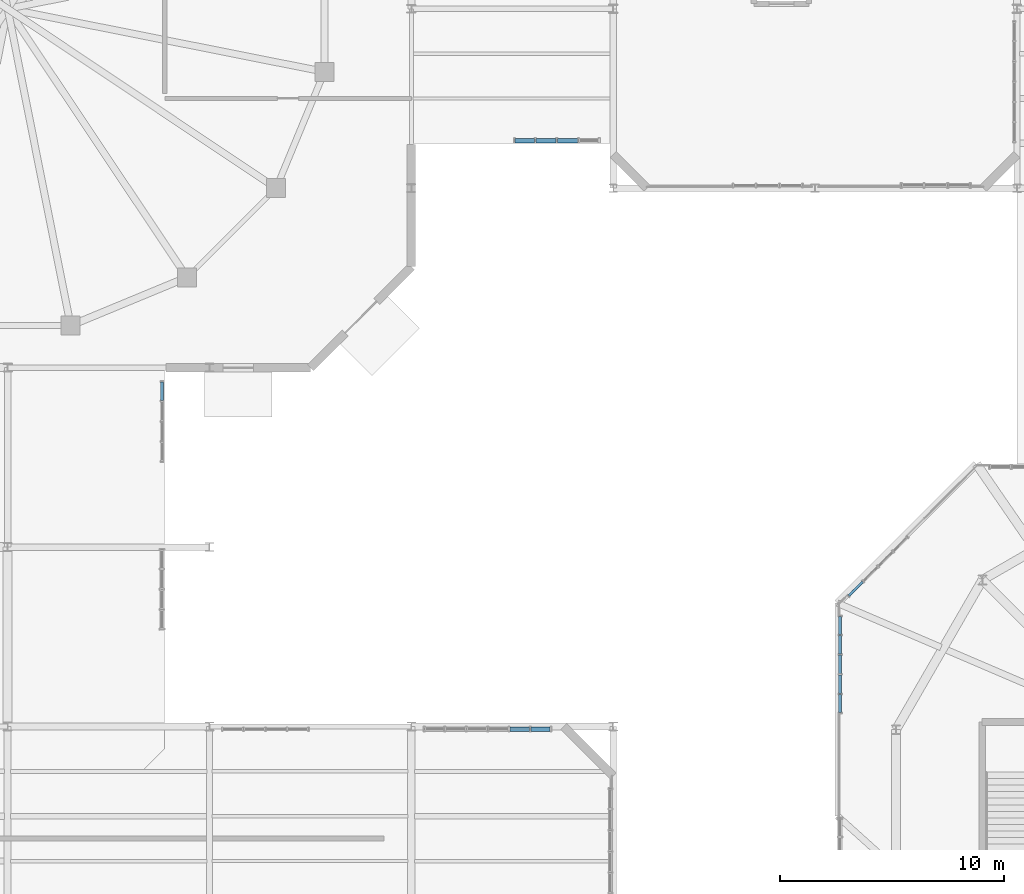
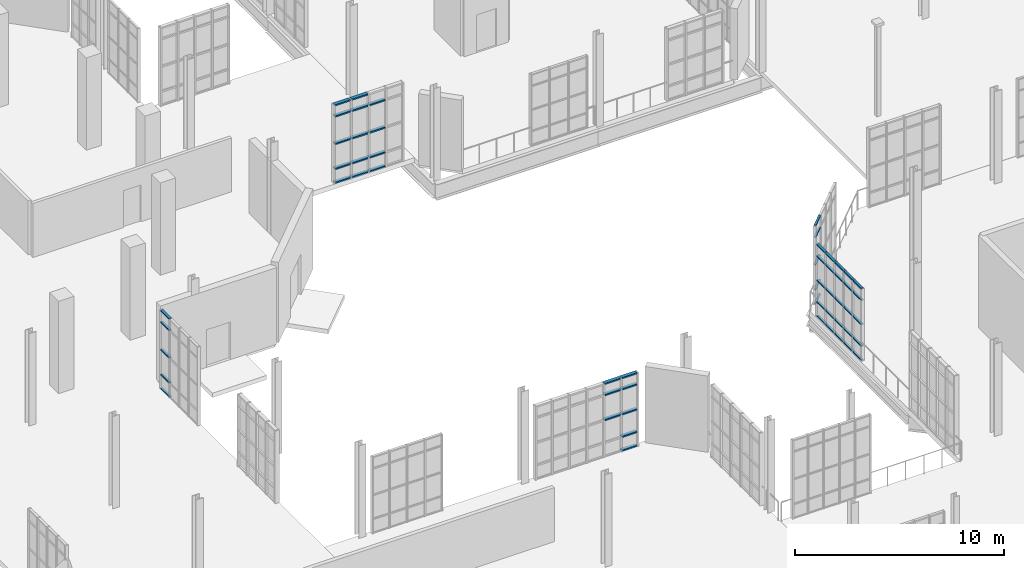
# One storey, part 118 of 189: 57 members, 5 elements without a shape of their own.
"""IFC4 building model written with IfcOpenShell, lengths in metres."""

from ifc_helpers import new_model, si_unit, direction, frame, origin, origin_2d, place, context, subcontext, project, spatial, hollow_rectangle, extrude, material, layer, layer_set, material_profile, profile_set, type_object, element, aggregate, save


model = new_model("IFC4")

# Units and contexts
model_context = context("Model", 3, precision=1e-05, world=origin(), true_north=direction((0.0, 1.0)))
body_context = subcontext(model_context, "Body", "Model", "MODEL_VIEW")
ifc_project = project(units=[si_unit("LENGTHUNIT", "METRE"), si_unit("AREAUNIT", "SQUARE_METRE"), si_unit("VOLUMEUNIT", "CUBIC_METRE"), si_unit("PLANEANGLEUNIT", "RADIAN"), si_unit("MASSUNIT", "GRAM", prefix="KILO"), si_unit("THERMODYNAMICTEMPERATUREUNIT", "KELVIN"), si_unit("POWERUNIT", "WATT")], contexts=[model_context])

# Site, building, storey
site_placement = place(None, origin())
site = spatial("IfcSite", under=ifc_project, at=site_placement, CompositionType="ELEMENT")
building_placement = place(site_placement, origin())
building = spatial("IfcBuilding", under=site, at=building_placement, Name="Zelmaris Science Centre", CompositionType="ELEMENT")
storey_placement = place(building_placement, origin())
storey = spatial("IfcBuildingStorey", under=building, at=storey_placement, Name="L00", CompositionType="ELEMENT", Elevation=0.0)

# Curtain wall, members
ifc_material = material(Name="Anodised architectural aluminium 6063-T6", Category="aluminium")
ifc_layer_1 = layer(ifc_material, 0.219970703125, Name="Anodised architectural aluminium 6063-T6")
ifc_layer_set_1 = layer_set([ifc_layer_1], Name="Anodised architectural aluminium 6063-T6")
curtain_wall_type_1 = type_object("IfcCurtainWallType", Name="Curtain Wall CW-04", PredefinedType="USERDEFINED", material=ifc_layer_set_1)
curtain_wall_1_placement = place(storey_placement, origin())
curtain_wall_1 = element("IfcCurtainWall", 1, at=curtain_wall_1_placement, inside=storey, type_object=curtain_wall_type_1, Name="L00 Unitised curtain wall 52", ObjectType="GLAZED CURTAIN WALL", PredefinedType="USERDEFINED")
ifc_material_profile_1 = material_profile(ifc_material, hollow_rectangle(XDim=0.06005859375, YDim=0.110107421875, WallThickness=0.0029296875, at=origin_2d()), Name="ALU-TRN-60X110")
ifc_profile_set_1 = profile_set([ifc_material_profile_1], Name="Anodised architectural aluminium 6063-T6")
member_type_1 = type_object("IfcMemberType", Name="ALU-TRN-60X110", PredefinedType="USERDEFINED", material=ifc_profile_set_1)
member_1_placement = place(storey_placement, frame((64.503662109375, 45.833740234375, 0.010986328125), z_axis=(0.707106781187, 0.707106781187, 0.0), x_axis=(0.0, 0.0, 1.0)))
member_1 = element("IfcMember", 2, at=member_1_placement, type_object=member_type_1, Name="CW-04 transom 1.1", ObjectType="TRANSOM", PredefinedType="USERDEFINED", context=body_context, shape_type="SweptSolid", body=[
    extrude(hollow_rectangle(XDim=0.06005859375, YDim=0.110107421875, WallThickness=0.0029296875, at=origin_2d()), origin(), (0.0, 0.0, 1.0), 0.867919921875),
])
member_2_placement = place(storey_placement, frame((64.503662109375, 45.833740234375, 0.8349609375), z_axis=(0.707106781187, 0.707106781187, 0.0), x_axis=(0.0, 0.0, 1.0)))
member_2 = element("IfcMember", 3, at=member_2_placement, type_object=member_type_1, Name="CW-04 transom 1.2", ObjectType="TRANSOM", PredefinedType="USERDEFINED", context=body_context, shape_type="SweptSolid", body=[
    extrude(hollow_rectangle(XDim=0.06005859375, YDim=0.110107421875, WallThickness=0.0029296875, at=origin_2d()), origin(), (0.0, 0.0, 1.0), 0.867919921875),
])
member_3_placement = place(storey_placement, frame((64.503662109375, 45.833740234375, 2.29248046875), z_axis=(0.707106781187, 0.707106781187, 0.0), x_axis=(0.0, 0.0, 1.0)))
member_3 = element("IfcMember", 4, at=member_3_placement, type_object=member_type_1, Name="CW-04 transom 1.3", ObjectType="TRANSOM", PredefinedType="USERDEFINED", context=body_context, shape_type="SweptSolid", body=[
    extrude(hollow_rectangle(XDim=0.06005859375, YDim=0.110107421875, WallThickness=0.0029296875, at=origin_2d()), origin(), (0.0, 0.0, 1.0), 0.867919921875),
])
member_4_placement = place(storey_placement, frame((64.503662109375, 45.833740234375, 3.89990234375), z_axis=(0.707106781187, 0.707106781187, 0.0), x_axis=(0.0, 0.0, 1.0)))
member_4 = element("IfcMember", 5, at=member_4_placement, type_object=member_type_1, Name="CW-04 transom 1.4", ObjectType="TRANSOM", PredefinedType="USERDEFINED", context=body_context, shape_type="SweptSolid", body=[
    extrude(hollow_rectangle(XDim=0.06005859375, YDim=0.110107421875, WallThickness=0.0029296875, at=origin_2d()), origin(), (0.0, 0.0, 1.0), 0.867919921875),
])
member_5_placement = place(storey_placement, frame((64.503662109375, 45.833740234375, 4.573974609375), z_axis=(0.707106781187, 0.707106781187, 0.0), x_axis=(0.0, 0.0, 1.0)))
member_5 = element("IfcMember", 6, at=member_5_placement, type_object=member_type_1, Name="CW-04 transom 1.5", ObjectType="TRANSOM", PredefinedType="USERDEFINED", context=body_context, shape_type="SweptSolid", body=[
    extrude(hollow_rectangle(XDim=0.06005859375, YDim=0.110107421875, WallThickness=0.0029296875, at=origin_2d()), origin(), (0.0, 0.0, 1.0), 0.867919921875),
])
aggregate(curtain_wall_1, [member_1, member_2, member_3, member_4, member_5])

ifc_layer_2 = layer(ifc_material, 0.2099609375, Name="Anodised architectural aluminium 6063-T6")
ifc_layer_set_2 = layer_set([ifc_layer_2], Name="Anodised architectural aluminium 6063-T6")
curtain_wall_type_2 = type_object("IfcCurtainWallType", Name="Curtain Wall CW-03", PredefinedType="USERDEFINED", material=ifc_layer_set_2)
curtain_wall_2_placement = place(storey_placement, origin())
curtain_wall_2 = element("IfcCurtainWall", 7, at=curtain_wall_2_placement, inside=storey, type_object=curtain_wall_type_2, Name="L00 Unitised curtain wall 39", ObjectType="GLAZED CURTAIN WALL", PredefinedType="USERDEFINED")
ifc_material_profile_2 = material_profile(ifc_material, hollow_rectangle(XDim=0.06494140625, YDim=0.1298828125, WallThickness=0.00341796875, at=origin_2d()), Name="ALU-TRN-65X130")
ifc_profile_set_2 = profile_set([ifc_material_profile_2], Name="Anodised architectural aluminium 6063-T6")
member_type_2 = type_object("IfcMemberType", Name="ALU-TRN-65X130", PredefinedType="USERDEFINED", material=ifc_profile_set_2)
member_6_placement = place(storey_placement, frame((33.883056640625, 55.3603515625, 0.013427734375), z_axis=(0.000595060888, -0.999999822951, 0.0), x_axis=(0.0, 0.0, 1.0)))
member_6 = element("IfcMember", 8, at=member_6_placement, type_object=member_type_2, Name="CW-03 transom 1.1", ObjectType="TRANSOM", PredefinedType="USERDEFINED", context=body_context, shape_type="SweptSolid", body=[
    extrude(hollow_rectangle(XDim=0.06494140625, YDim=0.1298828125, WallThickness=0.00341796875, at=origin_2d()), origin(), (0.0, 0.0, 1.0), 0.820556640625),
])
member_7_placement = place(storey_placement, frame((33.883056640625, 55.3603515625, 0.8349609375), z_axis=(0.000595060888, -0.999999822951, 0.0), x_axis=(0.0, 0.0, 1.0)))
member_7 = element("IfcMember", 9, at=member_7_placement, type_object=member_type_2, Name="CW-03 transom 1.2", ObjectType="TRANSOM", PredefinedType="USERDEFINED", context=body_context, shape_type="SweptSolid", body=[
    extrude(hollow_rectangle(XDim=0.06494140625, YDim=0.1298828125, WallThickness=0.00341796875, at=origin_2d()), origin(), (0.0, 0.0, 1.0), 0.820556640625),
])
member_8_placement = place(storey_placement, frame((33.883056640625, 55.3603515625, 2.29248046875), z_axis=(0.000595060888, -0.999999822951, 0.0), x_axis=(0.0, 0.0, 1.0)))
member_8 = element("IfcMember", 10, at=member_8_placement, type_object=member_type_2, Name="CW-03 transom 1.3", ObjectType="TRANSOM", PredefinedType="USERDEFINED", context=body_context, shape_type="SweptSolid", body=[
    extrude(hollow_rectangle(XDim=0.06494140625, YDim=0.1298828125, WallThickness=0.00341796875, at=origin_2d()), origin(), (0.0, 0.0, 1.0), 0.820556640625),
])
member_9_placement = place(storey_placement, frame((33.883056640625, 55.3603515625, 3.89990234375), z_axis=(0.000595060888, -0.999999822951, 0.0), x_axis=(0.0, 0.0, 1.0)))
member_9 = element("IfcMember", 11, at=member_9_placement, type_object=member_type_2, Name="CW-03 transom 1.4", ObjectType="TRANSOM", PredefinedType="USERDEFINED", context=body_context, shape_type="SweptSolid", body=[
    extrude(hollow_rectangle(XDim=0.06494140625, YDim=0.1298828125, WallThickness=0.00341796875, at=origin_2d()), origin(), (0.0, 0.0, 1.0), 0.820556640625),
])
member_10_placement = place(storey_placement, frame((33.883056640625, 55.3603515625, 4.571533203125), z_axis=(0.000595060888, -0.999999822951, 0.0), x_axis=(0.0, 0.0, 1.0)))
member_10 = element("IfcMember", 12, at=member_10_placement, type_object=member_type_2, Name="CW-03 transom 1.5", ObjectType="TRANSOM", PredefinedType="USERDEFINED", context=body_context, shape_type="SweptSolid", body=[
    extrude(hollow_rectangle(XDim=0.06494140625, YDim=0.1298828125, WallThickness=0.00341796875, at=origin_2d()), origin(), (0.0, 0.0, 1.0), 0.820556640625),
])
aggregate(curtain_wall_2, [member_6, member_7, member_8, member_9, member_10])

curtain_wall_3_placement = place(storey_placement, origin())
curtain_wall_3 = element("IfcCurtainWall", 13, at=curtain_wall_3_placement, inside=storey, type_object=curtain_wall_type_2, Name="L00 Unitised curtain wall 51", ObjectType="GLAZED CURTAIN WALL", PredefinedType="USERDEFINED")
member_11_placement = place(storey_placement, frame((64.115478515625, 40.630859375, 0.013427734375), z_axis=(0.000925068984, 0.999999572124, 0.0), x_axis=(0.0, 0.0, 1.0)))
member_11 = element("IfcMember", 14, at=member_11_placement, type_object=member_type_2, Name="CW-03 transom 1.1", ObjectType="TRANSOM", PredefinedType="USERDEFINED", context=body_context, shape_type="SweptSolid", body=[
    extrude(hollow_rectangle(XDim=0.06494140625, YDim=0.1298828125, WallThickness=0.00341796875, at=origin_2d()), origin(), (0.0, 0.0, 1.0), 0.791748046875),
])
member_12_placement = place(storey_placement, frame((64.115478515625, 40.630859375, 0.8349609375), z_axis=(0.000925068984, 0.999999572124, 0.0), x_axis=(0.0, 0.0, 1.0)))
member_12 = element("IfcMember", 15, at=member_12_placement, type_object=member_type_2, Name="CW-03 transom 1.2", ObjectType="TRANSOM", PredefinedType="USERDEFINED", context=body_context, shape_type="SweptSolid", body=[
    extrude(hollow_rectangle(XDim=0.06494140625, YDim=0.1298828125, WallThickness=0.00341796875, at=origin_2d()), origin(), (0.0, 0.0, 1.0), 0.791748046875),
])
member_13_placement = place(storey_placement, frame((64.115478515625, 40.630859375, 2.099609375), z_axis=(0.000925068984, 0.999999572124, 0.0), x_axis=(0.0, 0.0, 1.0)))
member_13 = element("IfcMember", 16, at=member_13_placement, type_object=member_type_2, Name="CW-03 transom 1.3", ObjectType="TRANSOM", PredefinedType="USERDEFINED", context=body_context, shape_type="SweptSolid", body=[
    extrude(hollow_rectangle(XDim=0.06494140625, YDim=0.1298828125, WallThickness=0.00341796875, at=origin_2d()), origin(), (0.0, 0.0, 1.0), 0.791748046875),
])
member_14_placement = place(storey_placement, frame((64.115478515625, 40.630859375, 3.513916015625), z_axis=(0.000925068984, 0.999999572124, 0.0), x_axis=(0.0, 0.0, 1.0)))
member_14 = element("IfcMember", 17, at=member_14_placement, type_object=member_type_2, Name="CW-03 transom 1.4", ObjectType="TRANSOM", PredefinedType="USERDEFINED", context=body_context, shape_type="SweptSolid", body=[
    extrude(hollow_rectangle(XDim=0.06494140625, YDim=0.1298828125, WallThickness=0.00341796875, at=origin_2d()), origin(), (0.0, 0.0, 1.0), 0.791748046875),
])
member_15_placement = place(storey_placement, frame((64.115478515625, 40.630859375, 4.185546875), z_axis=(0.000925068984, 0.999999572124, 0.0), x_axis=(0.0, 0.0, 1.0)))
member_15 = element("IfcMember", 18, at=member_15_placement, type_object=member_type_2, Name="CW-03 transom 1.5", ObjectType="TRANSOM", PredefinedType="USERDEFINED", context=body_context, shape_type="SweptSolid", body=[
    extrude(hollow_rectangle(XDim=0.06494140625, YDim=0.1298828125, WallThickness=0.00341796875, at=origin_2d()), origin(), (0.0, 0.0, 1.0), 0.791748046875),
])
member_16_placement = place(storey_placement, frame((64.1162109375, 41.4794921875, 0.013427734375), z_axis=(0.000892856787, 0.999999601403, 0.0), x_axis=(0.0, 0.0, 1.0)))
member_16 = element("IfcMember", 19, at=member_16_placement, type_object=member_type_2, Name="CW-03 transom 2.1", ObjectType="TRANSOM", PredefinedType="USERDEFINED", context=body_context, shape_type="SweptSolid", body=[
    extrude(hollow_rectangle(XDim=0.06494140625, YDim=0.1298828125, WallThickness=0.00341796875, at=origin_2d()), origin(), (0.0, 0.0, 1.0), 0.8203125),
])
member_17_placement = place(storey_placement, frame((64.1162109375, 41.4794921875, 0.8349609375), z_axis=(0.000892856787, 0.999999601403, 0.0), x_axis=(0.0, 0.0, 1.0)))
member_17 = element("IfcMember", 20, at=member_17_placement, type_object=member_type_2, Name="CW-03 transom 2.2", ObjectType="TRANSOM", PredefinedType="USERDEFINED", context=body_context, shape_type="SweptSolid", body=[
    extrude(hollow_rectangle(XDim=0.06494140625, YDim=0.1298828125, WallThickness=0.00341796875, at=origin_2d()), origin(), (0.0, 0.0, 1.0), 0.8203125),
])
member_18_placement = place(storey_placement, frame((64.1162109375, 41.4794921875, 2.099609375), z_axis=(0.000892856787, 0.999999601403, 0.0), x_axis=(0.0, 0.0, 1.0)))
member_18 = element("IfcMember", 21, at=member_18_placement, type_object=member_type_2, Name="CW-03 transom 2.3", ObjectType="TRANSOM", PredefinedType="USERDEFINED", context=body_context, shape_type="SweptSolid", body=[
    extrude(hollow_rectangle(XDim=0.06494140625, YDim=0.1298828125, WallThickness=0.00341796875, at=origin_2d()), origin(), (0.0, 0.0, 1.0), 0.8203125),
])
member_19_placement = place(storey_placement, frame((64.1162109375, 41.4794921875, 3.513916015625), z_axis=(0.000892856787, 0.999999601403, 0.0), x_axis=(0.0, 0.0, 1.0)))
member_19 = element("IfcMember", 22, at=member_19_placement, type_object=member_type_2, Name="CW-03 transom 2.4", ObjectType="TRANSOM", PredefinedType="USERDEFINED", context=body_context, shape_type="SweptSolid", body=[
    extrude(hollow_rectangle(XDim=0.06494140625, YDim=0.1298828125, WallThickness=0.00341796875, at=origin_2d()), origin(), (0.0, 0.0, 1.0), 0.8203125),
])
member_20_placement = place(storey_placement, frame((64.1162109375, 41.4794921875, 4.185546875), z_axis=(0.000892856787, 0.999999601403, 0.0), x_axis=(0.0, 0.0, 1.0)))
member_20 = element("IfcMember", 23, at=member_20_placement, type_object=member_type_2, Name="CW-03 transom 2.5", ObjectType="TRANSOM", PredefinedType="USERDEFINED", context=body_context, shape_type="SweptSolid", body=[
    extrude(hollow_rectangle(XDim=0.06494140625, YDim=0.1298828125, WallThickness=0.00341796875, at=origin_2d()), origin(), (0.0, 0.0, 1.0), 0.8203125),
])
member_21_placement = place(storey_placement, frame((64.1171875, 42.356689453125, 0.013427734375), z_axis=(0.000892856787, 0.999999601403, 0.0), x_axis=(0.0, 0.0, 1.0)))
member_21 = element("IfcMember", 24, at=member_21_placement, type_object=member_type_2, Name="CW-03 transom 3.1", ObjectType="TRANSOM", PredefinedType="USERDEFINED", context=body_context, shape_type="SweptSolid", body=[
    extrude(hollow_rectangle(XDim=0.06494140625, YDim=0.1298828125, WallThickness=0.00341796875, at=origin_2d()), origin(), (0.0, 0.0, 1.0), 0.8203125),
])
member_22_placement = place(storey_placement, frame((64.1171875, 42.356689453125, 0.8349609375), z_axis=(0.000892856787, 0.999999601403, 0.0), x_axis=(0.0, 0.0, 1.0)))
member_22 = element("IfcMember", 25, at=member_22_placement, type_object=member_type_2, Name="CW-03 transom 3.2", ObjectType="TRANSOM", PredefinedType="USERDEFINED", context=body_context, shape_type="SweptSolid", body=[
    extrude(hollow_rectangle(XDim=0.06494140625, YDim=0.1298828125, WallThickness=0.00341796875, at=origin_2d()), origin(), (0.0, 0.0, 1.0), 0.8203125),
])
member_23_placement = place(storey_placement, frame((64.1171875, 42.356689453125, 2.099609375), z_axis=(0.000892856787, 0.999999601403, 0.0), x_axis=(0.0, 0.0, 1.0)))
member_23 = element("IfcMember", 26, at=member_23_placement, type_object=member_type_2, Name="CW-03 transom 3.3", ObjectType="TRANSOM", PredefinedType="USERDEFINED", context=body_context, shape_type="SweptSolid", body=[
    extrude(hollow_rectangle(XDim=0.06494140625, YDim=0.1298828125, WallThickness=0.00341796875, at=origin_2d()), origin(), (0.0, 0.0, 1.0), 0.8203125),
])
member_24_placement = place(storey_placement, frame((64.1171875, 42.356689453125, 3.513916015625), z_axis=(0.000892856787, 0.999999601403, 0.0), x_axis=(0.0, 0.0, 1.0)))
member_24 = element("IfcMember", 27, at=member_24_placement, type_object=member_type_2, Name="CW-03 transom 3.4", ObjectType="TRANSOM", PredefinedType="USERDEFINED", context=body_context, shape_type="SweptSolid", body=[
    extrude(hollow_rectangle(XDim=0.06494140625, YDim=0.1298828125, WallThickness=0.00341796875, at=origin_2d()), origin(), (0.0, 0.0, 1.0), 0.8203125),
])
member_25_placement = place(storey_placement, frame((64.1171875, 42.356689453125, 4.185546875), z_axis=(0.000892856787, 0.999999601403, 0.0), x_axis=(0.0, 0.0, 1.0)))
member_25 = element("IfcMember", 28, at=member_25_placement, type_object=member_type_2, Name="CW-03 transom 3.5", ObjectType="TRANSOM", PredefinedType="USERDEFINED", context=body_context, shape_type="SweptSolid", body=[
    extrude(hollow_rectangle(XDim=0.06494140625, YDim=0.1298828125, WallThickness=0.00341796875, at=origin_2d()), origin(), (0.0, 0.0, 1.0), 0.8203125),
])
member_26_placement = place(storey_placement, frame((64.117919921875, 43.23388671875, 0.013427734375), z_axis=(0.000892856787, 0.999999601403, 0.0), x_axis=(0.0, 0.0, 1.0)))
member_26 = element("IfcMember", 29, at=member_26_placement, type_object=member_type_2, Name="CW-03 transom 4.1", ObjectType="TRANSOM", PredefinedType="USERDEFINED", context=body_context, shape_type="SweptSolid", body=[
    extrude(hollow_rectangle(XDim=0.06494140625, YDim=0.1298828125, WallThickness=0.00341796875, at=origin_2d()), origin(), (0.0, 0.0, 1.0), 0.8203125),
])
member_27_placement = place(storey_placement, frame((64.117919921875, 43.23388671875, 0.8349609375), z_axis=(0.000892856787, 0.999999601403, 0.0), x_axis=(0.0, 0.0, 1.0)))
member_27 = element("IfcMember", 30, at=member_27_placement, type_object=member_type_2, Name="CW-03 transom 4.2", ObjectType="TRANSOM", PredefinedType="USERDEFINED", context=body_context, shape_type="SweptSolid", body=[
    extrude(hollow_rectangle(XDim=0.06494140625, YDim=0.1298828125, WallThickness=0.00341796875, at=origin_2d()), origin(), (0.0, 0.0, 1.0), 0.8203125),
])
member_28_placement = place(storey_placement, frame((64.117919921875, 43.23388671875, 2.099609375), z_axis=(0.000892856787, 0.999999601403, 0.0), x_axis=(0.0, 0.0, 1.0)))
member_28 = element("IfcMember", 31, at=member_28_placement, type_object=member_type_2, Name="CW-03 transom 4.3", ObjectType="TRANSOM", PredefinedType="USERDEFINED", context=body_context, shape_type="SweptSolid", body=[
    extrude(hollow_rectangle(XDim=0.06494140625, YDim=0.1298828125, WallThickness=0.00341796875, at=origin_2d()), origin(), (0.0, 0.0, 1.0), 0.8203125),
])
member_29_placement = place(storey_placement, frame((64.117919921875, 43.23388671875, 3.513916015625), z_axis=(0.000892856787, 0.999999601403, 0.0), x_axis=(0.0, 0.0, 1.0)))
member_29 = element("IfcMember", 32, at=member_29_placement, type_object=member_type_2, Name="CW-03 transom 4.4", ObjectType="TRANSOM", PredefinedType="USERDEFINED", context=body_context, shape_type="SweptSolid", body=[
    extrude(hollow_rectangle(XDim=0.06494140625, YDim=0.1298828125, WallThickness=0.00341796875, at=origin_2d()), origin(), (0.0, 0.0, 1.0), 0.8203125),
])
member_30_placement = place(storey_placement, frame((64.117919921875, 43.23388671875, 4.185546875), z_axis=(0.000892856787, 0.999999601403, 0.0), x_axis=(0.0, 0.0, 1.0)))
member_30 = element("IfcMember", 33, at=member_30_placement, type_object=member_type_2, Name="CW-03 transom 4.5", ObjectType="TRANSOM", PredefinedType="USERDEFINED", context=body_context, shape_type="SweptSolid", body=[
    extrude(hollow_rectangle(XDim=0.06494140625, YDim=0.1298828125, WallThickness=0.00341796875, at=origin_2d()), origin(), (0.0, 0.0, 1.0), 0.8203125),
])
member_31_placement = place(storey_placement, frame((64.118896484375, 44.111083984375, 0.013427734375), z_axis=(0.000925068984, 0.999999572124, 0.0), x_axis=(0.0, 0.0, 1.0)))
member_31 = element("IfcMember", 34, at=member_31_placement, type_object=member_type_2, Name="CW-03 transom 5.1", ObjectType="TRANSOM", PredefinedType="USERDEFINED", context=body_context, shape_type="SweptSolid", body=[
    extrude(hollow_rectangle(XDim=0.06494140625, YDim=0.1298828125, WallThickness=0.00341796875, at=origin_2d()), origin(), (0.0, 0.0, 1.0), 0.791748046875),
])
member_32_placement = place(storey_placement, frame((64.118896484375, 44.111083984375, 0.8349609375), z_axis=(0.000925068984, 0.999999572124, 0.0), x_axis=(0.0, 0.0, 1.0)))
member_32 = element("IfcMember", 35, at=member_32_placement, type_object=member_type_2, Name="CW-03 transom 5.2", ObjectType="TRANSOM", PredefinedType="USERDEFINED", context=body_context, shape_type="SweptSolid", body=[
    extrude(hollow_rectangle(XDim=0.06494140625, YDim=0.1298828125, WallThickness=0.00341796875, at=origin_2d()), origin(), (0.0, 0.0, 1.0), 0.791748046875),
])
member_33_placement = place(storey_placement, frame((64.118896484375, 44.111083984375, 2.099609375), z_axis=(0.000925068984, 0.999999572124, 0.0), x_axis=(0.0, 0.0, 1.0)))
member_33 = element("IfcMember", 36, at=member_33_placement, type_object=member_type_2, Name="CW-03 transom 5.3", ObjectType="TRANSOM", PredefinedType="USERDEFINED", context=body_context, shape_type="SweptSolid", body=[
    extrude(hollow_rectangle(XDim=0.06494140625, YDim=0.1298828125, WallThickness=0.00341796875, at=origin_2d()), origin(), (0.0, 0.0, 1.0), 0.791748046875),
])
member_34_placement = place(storey_placement, frame((64.118896484375, 44.111083984375, 3.513916015625), z_axis=(0.000925068984, 0.999999572124, 0.0), x_axis=(0.0, 0.0, 1.0)))
member_34 = element("IfcMember", 37, at=member_34_placement, type_object=member_type_2, Name="CW-03 transom 5.4", ObjectType="TRANSOM", PredefinedType="USERDEFINED", context=body_context, shape_type="SweptSolid", body=[
    extrude(hollow_rectangle(XDim=0.06494140625, YDim=0.1298828125, WallThickness=0.00341796875, at=origin_2d()), origin(), (0.0, 0.0, 1.0), 0.791748046875),
])
member_35_placement = place(storey_placement, frame((64.118896484375, 44.111083984375, 4.185546875), z_axis=(0.000925068984, 0.999999572124, 0.0), x_axis=(0.0, 0.0, 1.0)))
member_35 = element("IfcMember", 38, at=member_35_placement, type_object=member_type_2, Name="CW-03 transom 5.5", ObjectType="TRANSOM", PredefinedType="USERDEFINED", context=body_context, shape_type="SweptSolid", body=[
    extrude(hollow_rectangle(XDim=0.06494140625, YDim=0.1298828125, WallThickness=0.00341796875, at=origin_2d()), origin(), (0.0, 0.0, 1.0), 0.791748046875),
])
aggregate(curtain_wall_3, [member_11, member_12, member_13, member_14, member_15, member_16, member_17, member_18, member_19, member_20, member_21, member_22, member_23, member_24, member_25, member_26, member_27, member_28, member_29, member_30, member_31, member_32, member_33, member_34, member_35])

ifc_layer_3 = layer(ifc_material, 0.18994140625, Name="Anodised architectural aluminium 6063-T6")
ifc_layer_set_3 = layer_set([ifc_layer_3], Name="Anodised architectural aluminium 6063-T6")
curtain_wall_type_3 = type_object("IfcCurtainWallType", Name="Curtain Wall CW-01", PredefinedType="USERDEFINED", material=ifc_layer_set_3)
curtain_wall_4_placement = place(storey_placement, origin())
curtain_wall_4 = element("IfcCurtainWall", 39, at=curtain_wall_4_placement, inside=storey, type_object=curtain_wall_type_3, Name="L00 Unitised curtain wall 37", ObjectType="GLAZED CURTAIN WALL", PredefinedType="USERDEFINED")
ifc_material_profile_3 = material_profile(ifc_material, hollow_rectangle(XDim=0.080078125, YDim=0.18994140625, WallThickness=0.00439453125, at=origin_2d()), Name="ALU-TRN-80X190")
ifc_profile_set_3 = profile_set([ifc_material_profile_3], Name="Anodised architectural aluminium 6063-T6")
member_type_3 = type_object("IfcMemberType", Name="ALU-TRN-80X190", PredefinedType="USERDEFINED", material=ifc_profile_set_3)
member_36_placement = place(storey_placement, frame((52.412841796875, 66.118896484375, 0.02099609375), z_axis=(-1.0, 0.0, 0.0), x_axis=(0.0, 0.0, 1.0)))
member_36 = element("IfcMember", 40, at=member_36_placement, type_object=member_type_3, Name="CW-01 transom 2.1", ObjectType="TRANSOM", PredefinedType="USERDEFINED", context=body_context, shape_type="SweptSolid", body=[
    extrude(hollow_rectangle(XDim=0.080078125, YDim=0.18994140625, WallThickness=0.00439453125, at=origin_2d()), origin(), (0.0, 0.0, 1.0), 0.89111328125),
])
member_37_placement = place(storey_placement, frame((52.412841796875, 66.118896484375, 0.8349609375), z_axis=(-1.0, 0.0, 0.0), x_axis=(0.0, 0.0, 1.0)))
member_37 = element("IfcMember", 41, at=member_37_placement, type_object=member_type_3, Name="CW-01 transom 2.2", ObjectType="TRANSOM", PredefinedType="USERDEFINED", context=body_context, shape_type="SweptSolid", body=[
    extrude(hollow_rectangle(XDim=0.080078125, YDim=0.18994140625, WallThickness=0.00439453125, at=origin_2d()), origin(), (0.0, 0.0, 1.0), 0.89111328125),
])
member_38_placement = place(storey_placement, frame((52.412841796875, 66.118896484375, 2.29248046875), z_axis=(-1.0, 0.0, 0.0), x_axis=(0.0, 0.0, 1.0)))
member_38 = element("IfcMember", 42, at=member_38_placement, type_object=member_type_3, Name="CW-01 transom 2.3", ObjectType="TRANSOM", PredefinedType="USERDEFINED", context=body_context, shape_type="SweptSolid", body=[
    extrude(hollow_rectangle(XDim=0.080078125, YDim=0.18994140625, WallThickness=0.00439453125, at=origin_2d()), origin(), (0.0, 0.0, 1.0), 0.89111328125),
])
member_39_placement = place(storey_placement, frame((52.412841796875, 66.118896484375, 3.89990234375), z_axis=(-1.0, 0.0, 0.0), x_axis=(0.0, 0.0, 1.0)))
member_39 = element("IfcMember", 43, at=member_39_placement, type_object=member_type_3, Name="CW-01 transom 2.4", ObjectType="TRANSOM", PredefinedType="USERDEFINED", context=body_context, shape_type="SweptSolid", body=[
    extrude(hollow_rectangle(XDim=0.080078125, YDim=0.18994140625, WallThickness=0.00439453125, at=origin_2d()), origin(), (0.0, 0.0, 1.0), 0.89111328125),
])
member_40_placement = place(storey_placement, frame((51.449951171875, 66.118896484375, 0.02099609375), z_axis=(-1.0, 0.0, 0.0), x_axis=(0.0, 0.0, 1.0)))
member_40 = element("IfcMember", 44, at=member_40_placement, type_object=member_type_3, Name="CW-01 transom 3.1", ObjectType="TRANSOM", PredefinedType="USERDEFINED", context=body_context, shape_type="SweptSolid", body=[
    extrude(hollow_rectangle(XDim=0.080078125, YDim=0.18994140625, WallThickness=0.00439453125, at=origin_2d()), origin(), (0.0, 0.0, 1.0), 0.89111328125),
])
member_41_placement = place(storey_placement, frame((51.449951171875, 66.118896484375, 0.8349609375), z_axis=(-1.0, 0.0, 0.0), x_axis=(0.0, 0.0, 1.0)))
member_41 = element("IfcMember", 45, at=member_41_placement, type_object=member_type_3, Name="CW-01 transom 3.2", ObjectType="TRANSOM", PredefinedType="USERDEFINED", context=body_context, shape_type="SweptSolid", body=[
    extrude(hollow_rectangle(XDim=0.080078125, YDim=0.18994140625, WallThickness=0.00439453125, at=origin_2d()), origin(), (0.0, 0.0, 1.0), 0.89111328125),
])
member_42_placement = place(storey_placement, frame((51.449951171875, 66.118896484375, 2.29248046875), z_axis=(-1.0, 0.0, 0.0), x_axis=(0.0, 0.0, 1.0)))
member_42 = element("IfcMember", 46, at=member_42_placement, type_object=member_type_3, Name="CW-01 transom 3.3", ObjectType="TRANSOM", PredefinedType="USERDEFINED", context=body_context, shape_type="SweptSolid", body=[
    extrude(hollow_rectangle(XDim=0.080078125, YDim=0.18994140625, WallThickness=0.00439453125, at=origin_2d()), origin(), (0.0, 0.0, 1.0), 0.89111328125),
])
member_43_placement = place(storey_placement, frame((51.449951171875, 66.118896484375, 3.89990234375), z_axis=(-1.0, 0.0, 0.0), x_axis=(0.0, 0.0, 1.0)))
member_43 = element("IfcMember", 47, at=member_43_placement, type_object=member_type_3, Name="CW-01 transom 3.4", ObjectType="TRANSOM", PredefinedType="USERDEFINED", context=body_context, shape_type="SweptSolid", body=[
    extrude(hollow_rectangle(XDim=0.080078125, YDim=0.18994140625, WallThickness=0.00439453125, at=origin_2d()), origin(), (0.0, 0.0, 1.0), 0.89111328125),
])
member_44_placement = place(storey_placement, frame((51.449951171875, 66.118896484375, 4.56396484375), z_axis=(-1.0, 0.0, 0.0), x_axis=(0.0, 0.0, 1.0)))
member_44 = element("IfcMember", 48, at=member_44_placement, type_object=member_type_3, Name="CW-01 transom 3.5", ObjectType="TRANSOM", PredefinedType="USERDEFINED", context=body_context, shape_type="SweptSolid", body=[
    extrude(hollow_rectangle(XDim=0.080078125, YDim=0.18994140625, WallThickness=0.00439453125, at=origin_2d()), origin(), (0.0, 0.0, 1.0), 0.89111328125),
])
member_45_placement = place(storey_placement, frame((50.48681640625, 66.118896484375, 0.02099609375), z_axis=(-1.0, 0.0, 0.0), x_axis=(0.0, 0.0, 1.0)))
member_45 = element("IfcMember", 49, at=member_45_placement, type_object=member_type_3, Name="CW-01 transom 4.1", ObjectType="TRANSOM", PredefinedType="USERDEFINED", context=body_context, shape_type="SweptSolid", body=[
    extrude(hollow_rectangle(XDim=0.080078125, YDim=0.18994140625, WallThickness=0.00439453125, at=origin_2d()), origin(), (0.0, 0.0, 1.0), 0.854736328125),
])
member_46_placement = place(storey_placement, frame((50.48681640625, 66.118896484375, 0.8349609375), z_axis=(-1.0, 0.0, 0.0), x_axis=(0.0, 0.0, 1.0)))
member_46 = element("IfcMember", 50, at=member_46_placement, type_object=member_type_3, Name="CW-01 transom 4.2", ObjectType="TRANSOM", PredefinedType="USERDEFINED", context=body_context, shape_type="SweptSolid", body=[
    extrude(hollow_rectangle(XDim=0.080078125, YDim=0.18994140625, WallThickness=0.00439453125, at=origin_2d()), origin(), (0.0, 0.0, 1.0), 0.854736328125),
])
member_47_placement = place(storey_placement, frame((50.48681640625, 66.118896484375, 2.29248046875), z_axis=(-1.0, 0.0, 0.0), x_axis=(0.0, 0.0, 1.0)))
member_47 = element("IfcMember", 51, at=member_47_placement, type_object=member_type_3, Name="CW-01 transom 4.3", ObjectType="TRANSOM", PredefinedType="USERDEFINED", context=body_context, shape_type="SweptSolid", body=[
    extrude(hollow_rectangle(XDim=0.080078125, YDim=0.18994140625, WallThickness=0.00439453125, at=origin_2d()), origin(), (0.0, 0.0, 1.0), 0.854736328125),
])
member_48_placement = place(storey_placement, frame((50.48681640625, 66.118896484375, 3.89990234375), z_axis=(-1.0, 0.0, 0.0), x_axis=(0.0, 0.0, 1.0)))
member_48 = element("IfcMember", 52, at=member_48_placement, type_object=member_type_3, Name="CW-01 transom 4.4", ObjectType="TRANSOM", PredefinedType="USERDEFINED", context=body_context, shape_type="SweptSolid", body=[
    extrude(hollow_rectangle(XDim=0.080078125, YDim=0.18994140625, WallThickness=0.00439453125, at=origin_2d()), origin(), (0.0, 0.0, 1.0), 0.854736328125),
])
member_49_placement = place(storey_placement, frame((50.48681640625, 66.118896484375, 4.56396484375), z_axis=(-1.0, 0.0, 0.0), x_axis=(0.0, 0.0, 1.0)))
member_49 = element("IfcMember", 53, at=member_49_placement, type_object=member_type_3, Name="CW-01 transom 4.5", ObjectType="TRANSOM", PredefinedType="USERDEFINED", context=body_context, shape_type="SweptSolid", body=[
    extrude(hollow_rectangle(XDim=0.080078125, YDim=0.18994140625, WallThickness=0.00439453125, at=origin_2d()), origin(), (0.0, 0.0, 1.0), 0.854736328125),
])
aggregate(curtain_wall_4, [member_36, member_37, member_38, member_39, member_40, member_41, member_42, member_43, member_44, member_45, member_46, member_47, member_48, member_49])

curtain_wall_5_placement = place(storey_placement, origin())
curtain_wall_5 = element("IfcCurtainWall", 54, at=curtain_wall_5_placement, inside=storey, type_object=curtain_wall_type_3, Name="L00 Unitised curtain wall 45", ObjectType="GLAZED CURTAIN WALL", PredefinedType="USERDEFINED")
member_50_placement = place(storey_placement, frame((49.389404296875, 39.8798828125, 2.146484375), z_axis=(1.0, 0.0, 0.0), x_axis=(0.0, 0.0, 1.0)))
member_50 = element("IfcMember", 55, at=member_50_placement, type_object=member_type_3, Name="CW-01 transom 5.3", ObjectType="TRANSOM", PredefinedType="USERDEFINED", context=body_context, shape_type="SweptSolid", body=[
    extrude(hollow_rectangle(XDim=0.080078125, YDim=0.18994140625, WallThickness=0.00439453125, at=origin_2d()), origin(), (0.0, 0.0, 1.0), 0.88134765625),
])
member_51_placement = place(storey_placement, frame((49.389404296875, 39.8798828125, 3.60791015625), z_axis=(1.0, 0.0, 0.0), x_axis=(0.0, 0.0, 1.0)))
member_51 = element("IfcMember", 56, at=member_51_placement, type_object=member_type_3, Name="CW-01 transom 5.4", ObjectType="TRANSOM", PredefinedType="USERDEFINED", context=body_context, shape_type="SweptSolid", body=[
    extrude(hollow_rectangle(XDim=0.080078125, YDim=0.18994140625, WallThickness=0.00439453125, at=origin_2d()), origin(), (0.0, 0.0, 1.0), 0.88134765625),
])
member_52_placement = place(storey_placement, frame((49.389404296875, 39.8798828125, 4.27197265625), z_axis=(1.0, 0.0, 0.0), x_axis=(0.0, 0.0, 1.0)))
member_52 = element("IfcMember", 57, at=member_52_placement, type_object=member_type_3, Name="CW-01 transom 5.5", ObjectType="TRANSOM", PredefinedType="USERDEFINED", context=body_context, shape_type="SweptSolid", body=[
    extrude(hollow_rectangle(XDim=0.080078125, YDim=0.18994140625, WallThickness=0.00439453125, at=origin_2d()), origin(), (0.0, 0.0, 1.0), 0.88134765625),
])
member_53_placement = place(storey_placement, frame((50.3427734375, 39.8798828125, 0.02099609375), z_axis=(1.0, 0.0, 0.0), x_axis=(0.0, 0.0, 1.0)))
member_53 = element("IfcMember", 58, at=member_53_placement, type_object=member_type_3, Name="CW-01 transom 6.1", ObjectType="TRANSOM", PredefinedType="USERDEFINED", context=body_context, shape_type="SweptSolid", body=[
    extrude(hollow_rectangle(XDim=0.080078125, YDim=0.18994140625, WallThickness=0.00439453125, at=origin_2d()), origin(), (0.0, 0.0, 1.0), 0.84521484375),
])
member_54_placement = place(storey_placement, frame((50.3427734375, 39.8798828125, 0.8349609375), z_axis=(1.0, 0.0, 0.0), x_axis=(0.0, 0.0, 1.0)))
member_54 = element("IfcMember", 59, at=member_54_placement, type_object=member_type_3, Name="CW-01 transom 6.2", ObjectType="TRANSOM", PredefinedType="USERDEFINED", context=body_context, shape_type="SweptSolid", body=[
    extrude(hollow_rectangle(XDim=0.080078125, YDim=0.18994140625, WallThickness=0.00439453125, at=origin_2d()), origin(), (0.0, 0.0, 1.0), 0.84521484375),
])
member_55_placement = place(storey_placement, frame((50.3427734375, 39.8798828125, 2.146484375), z_axis=(1.0, 0.0, 0.0), x_axis=(0.0, 0.0, 1.0)))
member_55 = element("IfcMember", 60, at=member_55_placement, type_object=member_type_3, Name="CW-01 transom 6.3", ObjectType="TRANSOM", PredefinedType="USERDEFINED", context=body_context, shape_type="SweptSolid", body=[
    extrude(hollow_rectangle(XDim=0.080078125, YDim=0.18994140625, WallThickness=0.00439453125, at=origin_2d()), origin(), (0.0, 0.0, 1.0), 0.84521484375),
])
member_56_placement = place(storey_placement, frame((50.3427734375, 39.8798828125, 3.60791015625), z_axis=(1.0, 0.0, 0.0), x_axis=(0.0, 0.0, 1.0)))
member_56 = element("IfcMember", 61, at=member_56_placement, type_object=member_type_3, Name="CW-01 transom 6.4", ObjectType="TRANSOM", PredefinedType="USERDEFINED", context=body_context, shape_type="SweptSolid", body=[
    extrude(hollow_rectangle(XDim=0.080078125, YDim=0.18994140625, WallThickness=0.00439453125, at=origin_2d()), origin(), (0.0, 0.0, 1.0), 0.84521484375),
])
member_57_placement = place(storey_placement, frame((50.3427734375, 39.8798828125, 4.27197265625), z_axis=(1.0, 0.0, 0.0), x_axis=(0.0, 0.0, 1.0)))
member_57 = element("IfcMember", 62, at=member_57_placement, type_object=member_type_3, Name="CW-01 transom 6.5", ObjectType="TRANSOM", PredefinedType="USERDEFINED", context=body_context, shape_type="SweptSolid", body=[
    extrude(hollow_rectangle(XDim=0.080078125, YDim=0.18994140625, WallThickness=0.00439453125, at=origin_2d()), origin(), (0.0, 0.0, 1.0), 0.84521484375),
])
aggregate(curtain_wall_5, [member_50, member_51, member_52, member_53, member_54, member_55, member_56, member_57])

save(model, "model.ifc")
